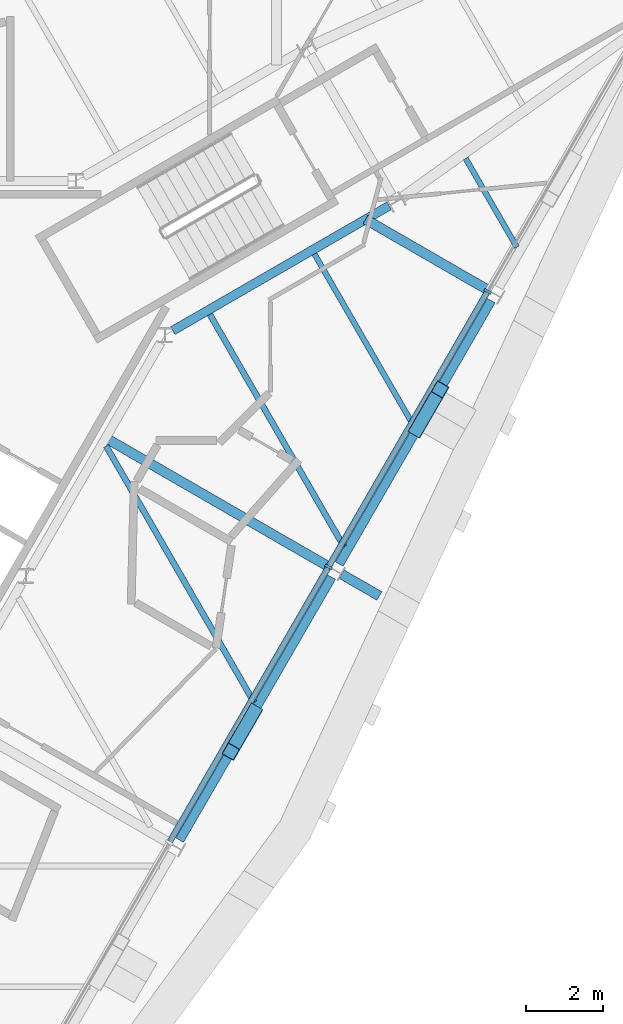
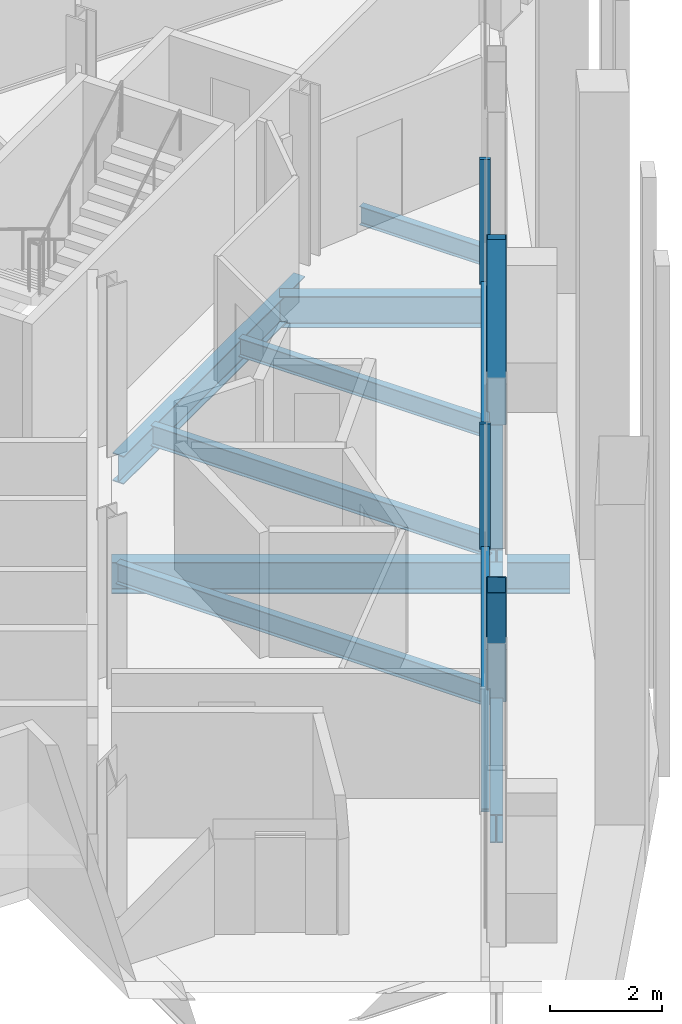
# One storey, part 4 of 13: 10 beams, 6 members, 1 element without a shape of its own.
"""IFC4 building model written with IfcOpenShell, lengths in metres."""

from ifc_helpers import new_model, si_unit, direction, frame, origin, origin_2d, place, context, subcontext, project, spatial, rectangle, hollow_rectangle, i_section, extrude, material, material_profile, profile_set, type_object, element, aggregate, save


model = new_model("IFC4")

# Units and contexts
model_context = context("Model", 3, precision=1e-05, world=origin(), true_north=direction((0.0, 1.0)))
body_context = subcontext(model_context, "Body", "Model", "MODEL_VIEW")
ifc_project = project(units=[si_unit("LENGTHUNIT", "METRE"), si_unit("AREAUNIT", "SQUARE_METRE"), si_unit("VOLUMEUNIT", "CUBIC_METRE"), si_unit("PLANEANGLEUNIT", "RADIAN"), si_unit("MASSUNIT", "GRAM", prefix="KILO")], contexts=[model_context])

# Site, building, storey
site_placement = place(None, origin())
site = spatial("IfcSite", under=ifc_project, at=site_placement, CompositionType="ELEMENT")
building_placement = place(site_placement, origin())
building = spatial("IfcBuilding", under=site, at=building_placement, Name="Verrane Prism Tower", CompositionType="ELEMENT")
storey_placement = place(building_placement, frame((0.0, 0.0, 275.10009765625)))
storey = spatial("IfcBuildingStorey", under=building, at=storey_placement, Name="L69", CompositionType="ELEMENT", Elevation=275.10009765625)

# Beam
ifc_material_1 = material(Name="Steel A992", Category="steel")
ifc_material_profile_1 = material_profile(ifc_material_1, i_section(OverallWidth=0.23046875, OverallDepth=0.6171875, WebThickness=0.01318359375, FlangeThickness=0.022216796875, FilletRadius=0.012939453125, at=origin_2d()), Name="W24x94")
ifc_profile_set_1 = profile_set([ifc_material_profile_1], Name="Steel A992")
beam_type_1 = type_object("IfcBeamType", Name="Core ring girder W24x94", PredefinedType="BEAM", material=ifc_profile_set_1)
beam_1_placement = place(storey_placement, frame((9.679443359375, 2.93505859375, -0.55859375), z_axis=(0.866080992722, 0.499903704773, 0.0), x_axis=(-0.499903704773, 0.866080992722, 0.0)))
element("IfcBeam", 1, at=beam_1_placement, inside=storey, type_object=beam_type_1, Name="Core ring girder L69", PredefinedType="BEAM", context=body_context, shape_type="SweptSolid", body=[
    extrude(i_section(OverallWidth=0.23046875, OverallDepth=0.6171875, WebThickness=0.01318359375, FlangeThickness=0.022216796875, FilletRadius=0.012939453125, at=origin_2d()), origin(), (0.0, 0.0, 1.0), 6.451904296875),
])

# Members
ifc_material_2 = material(Name="Steel A500 Grade C", Category="steel")
ifc_material_profile_2 = material_profile(ifc_material_2, hollow_rectangle(XDim=0.355712890625, YDim=0.355712890625, WallThickness=0.0126953125, InnerFilletRadius=0.00634765625, OuterFilletRadius=0.01904296875, at=origin_2d()), Name="HSS14x14x1/2")
ifc_profile_set_2 = profile_set([ifc_material_profile_2], Name="Steel A500 Grade C")
member_type_1 = type_object("IfcMemberType", Name="Facade brace HSS14x14x1/2", PredefinedType="BRACE", material=ifc_profile_set_2)
member_1_placement = place(storey_placement, frame((11.773193359375, -6.906005859375, -0.216796875), z_axis=(-0.173955846373, -0.301074671944, 0.937599810914), x_axis=(0.865863090637, -0.500281029295, 0.0)))
element("IfcMember", 2, at=member_1_placement, inside=storey, type_object=member_type_1, Name="Facade brace SE2 L69", PredefinedType="BRACE", context=body_context, shape_type="SweptSolid", body=[
    extrude(hollow_rectangle(XDim=0.355712890625, YDim=0.355712890625, WallThickness=0.0126953125, InnerFilletRadius=0.00634765625, OuterFilletRadius=0.01904296875, at=origin_2d()), origin(), (0.0, 0.0, 1.0), 3.408935546875),
])
member_2_placement = place(storey_placement, frame((15.98681640625, 0.39111328125, -0.216796875), z_axis=(0.173933329841, 0.301465343199, 0.937478449683), x_axis=(-0.866171884844, 0.499746201493, 0.0)))
element("IfcMember", 3, at=member_2_placement, inside=storey, type_object=member_type_1, Name="Facade brace SE3 L69", PredefinedType="BRACE", context=body_context, shape_type="SweptSolid", body=[
    extrude(hollow_rectangle(XDim=0.355712890625, YDim=0.355712890625, WallThickness=0.0126953125, InnerFilletRadius=0.00634765625, OuterFilletRadius=0.01904296875, at=origin_2d()), origin(), (0.0, 0.0, 1.0), 3.409423828125),
])

# Beams
ifc_material_3 = material(Name="Steel A992", Category="steel")
ifc_material_profile_3 = material_profile(ifc_material_3, i_section(OverallWidth=0.140380859375, OverallDepth=0.40380859375, WebThickness=0.007080078125, FlangeThickness=0.01123046875, FilletRadius=0.01025390625, at=origin_2d()), Name="W16x31")
ifc_profile_set_3 = profile_set([ifc_material_profile_3], Name="Steel A992")
beam_type_2 = type_object("IfcBeamType", Name="Floor beam W16x31", PredefinedType="BEAM", material=ifc_profile_set_3)
beam_2_placement = place(storey_placement, frame((15.902099609375, 0.474609375, -0.362060546875), z_axis=(-0.500011000363, 0.866019052629, 0.0), x_axis=(-0.866019052629, -0.500011000363, 0.0)))
element("IfcBeam", 4, at=beam_2_placement, inside=storey, type_object=beam_type_2, Name="Floor beam L69", PredefinedType="BEAM", context=body_context, shape_type="SweptSolid", body=[
    extrude(i_section(OverallWidth=0.140380859375, OverallDepth=0.40380859375, WebThickness=0.007080078125, FlangeThickness=0.01123046875, FilletRadius=0.01025390625, at=origin_2d()), origin(), (0.0, 0.0, 1.0), 5.126953125),
])
beam_3_placement = place(storey_placement, frame((18.565185546875, 5.089599609375, -0.362060546875), z_axis=(-0.49994082229, 0.866059567356, 0.0), x_axis=(-0.866059567356, -0.49994082229, 0.0)))
element("IfcBeam", 5, at=beam_3_placement, inside=storey, type_object=beam_type_2, Name="Floor beam L69", PredefinedType="BEAM", context=body_context, shape_type="SweptSolid", body=[
    extrude(i_section(OverallWidth=0.140380859375, OverallDepth=0.40380859375, WebThickness=0.007080078125, FlangeThickness=0.01123046875, FilletRadius=0.01025390625, at=origin_2d()), origin(), (0.0, 0.0, 1.0), 2.645263671875),
])
ifc_material_4 = material(Name="Steel A992", Category="steel")
ifc_material_profile_4 = material_profile(ifc_material_4, i_section(OverallWidth=0.15234375, OverallDepth=0.449462890625, WebThickness=0.007568359375, FlangeThickness=0.0107421875, FilletRadius=0.01025390625, at=origin_2d()), Name="W18x35")
ifc_profile_set_4 = profile_set([ifc_material_profile_4], Name="Steel A992")
beam_type_3 = type_object("IfcBeamType", Name="Floor beam W18x35", PredefinedType="BEAM", material=ifc_profile_set_4)
beam_4_placement = place(storey_placement, frame((11.78076171875, -6.6630859375, -0.385009765625), z_axis=(-0.499997113229, 0.866027070456, 0.0), x_axis=(-0.866027070456, -0.499997113229, 0.0)))
element("IfcBeam", 6, at=beam_4_placement, inside=storey, type_object=beam_type_3, Name="Floor beam L69", PredefinedType="BEAM", context=body_context, shape_type="SweptSolid", body=[
    extrude(i_section(OverallWidth=0.15234375, OverallDepth=0.449462890625, WebThickness=0.007568359375, FlangeThickness=0.0107421875, FilletRadius=0.01025390625, at=origin_2d()), origin(), (0.0, 0.0, 1.0), 7.64306640625),
])
beam_5_placement = place(storey_placement, frame((14.1015625, -2.64599609375, -0.385009765625), z_axis=(-0.49999287541, 0.866029517129, 0.0), x_axis=(-0.866029517129, -0.49999287541, 0.0)))
element("IfcBeam", 7, at=beam_5_placement, inside=storey, type_object=beam_type_3, Name="Floor beam L69", PredefinedType="BEAM", context=body_context, shape_type="SweptSolid", body=[
    extrude(i_section(OverallWidth=0.15234375, OverallDepth=0.449462890625, WebThickness=0.007568359375, FlangeThickness=0.0107421875, FilletRadius=0.01025390625, at=origin_2d()), origin(), (0.0, 0.0, 1.0), 6.92919921875),
])

# Curtain wall, members
ifc_material_5 = material(Name="Aluminium framed insulated glazing", Category="aluminium")
curtain_wall_type = type_object("IfcCurtainWallType", Name="Curtain wall CW-A 8400 module", PredefinedType="NOTDEFINED", material=ifc_material_5)
curtain_wall_placement = place(storey_placement, origin())
curtain_wall = element("IfcCurtainWall", 8, at=curtain_wall_placement, inside=storey, type_object=curtain_wall_type, Name="Glazed curtain wall south-east face L69", PredefinedType="NOTDEFINED")
ifc_material_6 = material(Name="Aluminium alloy 6063-T6", Category="aluminium")
ifc_material_profile_5 = material_profile(ifc_material_6, rectangle(XDim=0.199951171875, YDim=0.070068359375, at=origin_2d()), Name="Mullion 70x200 aluminium")
ifc_profile_set_5 = profile_set([ifc_material_profile_5], Name="Aluminium alloy 6063-T6")
member_type_2 = type_object("IfcMemberType", Name="Mullion 70x200 aluminium", PredefinedType="MULLION", material=ifc_profile_set_5)
member_3_placement = place(storey_placement, frame((13.7001953125, -3.1650390625, 0.0), z_axis=(0.0, 0.0, 1.0), x_axis=(-0.866024861728, 0.500000938868, 0.0)))
member_3 = element("IfcMember", 9, at=member_3_placement, type_object=member_type_2, Name="CW69.6 mullion 4", PredefinedType="MULLION", context=body_context, shape_type="SweptSolid", body=[
    extrude(rectangle(XDim=0.199951171875, YDim=0.070068359375, at=origin_2d()), origin(), (0.0, 0.0, 1.0), 2.722900390625),
])
member_4_placement = place(storey_placement, frame((17.8095703125, 3.952392578125, 0.0), z_axis=(0.0, 0.0, 1.0), x_axis=(-0.866024861728, 0.500000938868, 0.0)))
member_4 = element("IfcMember", 10, at=member_4_placement, type_object=member_type_2, Name="CW69.6 mullion 5", PredefinedType="MULLION", context=body_context, shape_type="SweptSolid", body=[
    extrude(rectangle(XDim=0.199951171875, YDim=0.070068359375, at=origin_2d()), origin(), (0.0, 0.0, 1.0), 2.722900390625),
])

# Beams
ifc_material_7 = material(Name="Steel A992", Category="steel")
ifc_material_profile_6 = material_profile(ifc_material_7, i_section(OverallWidth=0.25390625, OverallDepth=0.683349609375, WebThickness=0.012451171875, FlangeThickness=0.01904296875, FilletRadius=0.01513671875, at=origin_2d()), Name="W27x94")
ifc_profile_set_6 = profile_set([ifc_material_profile_6], Name="Steel A992")
beam_type_4 = type_object("IfcBeamType", Name="Radial girder W27x94", PredefinedType="BEAM", material=ifc_profile_set_6)
beam_6_placement = place(storey_placement, frame((13.71728515625, -3.166015625, -0.561767578125), z_axis=(-0.866033637652, 0.499985738252, 0.0), x_axis=(-0.499985738252, -0.866033637652, 0.0)))
element("IfcBeam", 11, at=beam_6_placement, inside=storey, type_object=beam_type_4, Name="Radial girder L69", PredefinedType="BEAM", context=body_context, shape_type="SweptSolid", body=[
    extrude(i_section(OverallWidth=0.25390625, OverallDepth=0.683349609375, WebThickness=0.012451171875, FlangeThickness=0.01904296875, FilletRadius=0.01513671875, at=origin_2d()), origin(), (0.0, 0.0, 1.0), 6.662353515625),
])
beam_7_placement = place(storey_placement, frame((17.837158203125, 3.97412109375, -0.561767578125), z_axis=(-0.866040472627, 0.499973899091, 0.0), x_axis=(-0.499973899091, -0.866040472627, 0.0)))
element("IfcBeam", 12, at=beam_7_placement, inside=storey, type_object=beam_type_4, Name="Radial girder L69", PredefinedType="BEAM", context=body_context, shape_type="SweptSolid", body=[
    extrude(i_section(OverallWidth=0.25390625, OverallDepth=0.683349609375, WebThickness=0.012451171875, FlangeThickness=0.01904296875, FilletRadius=0.01513671875, at=origin_2d()), origin(), (0.0, 0.0, 1.0), 3.670166015625),
])
beam_8_placement = place(storey_placement, frame((14.039306640625, -3.35205078125, -0.561767578125), z_axis=(0.86603400694, -0.499985098601, 0.0), x_axis=(0.499985098601, 0.86603400694, 0.0)))
element("IfcBeam", 13, at=beam_8_placement, inside=storey, type_object=beam_type_4, Name="Cantilever girder L69", PredefinedType="BEAM", context=body_context, shape_type="SweptSolid", body=[
    extrude(i_section(OverallWidth=0.25390625, OverallDepth=0.683349609375, WebThickness=0.012451171875, FlangeThickness=0.01904296875, FilletRadius=0.01513671875, at=origin_2d()), origin(), (0.0, 0.0, 1.0), 1.12646484375),
])
ifc_material_8 = material(Name="Steel A992", Category="steel")
ifc_material_profile_7 = material_profile(ifc_material_8, i_section(OverallWidth=0.23046875, OverallDepth=0.6171875, WebThickness=0.01318359375, FlangeThickness=0.022216796875, FilletRadius=0.012939453125, at=origin_2d()), Name="W24x94")
ifc_profile_set_7 = profile_set([ifc_material_profile_7], Name="Steel A992")
beam_type_5 = type_object("IfcBeamType", Name="Spandrel beam W24x94", PredefinedType="SPANDREL", material=ifc_profile_set_7)
beam_9_placement = place(storey_placement, frame((9.8583984375, -10.219482421875, -0.46875), z_axis=(0.500327915282, 0.865835999015, 0.0), x_axis=(-0.865835999015, 0.500327915282, 0.0)))
element("IfcBeam", 14, at=beam_9_placement, inside=storey, type_object=beam_type_5, Name="Spandrel beam L69", PredefinedType="SPANDREL", context=body_context, shape_type="SweptSolid", body=[
    extrude(i_section(OverallWidth=0.23046875, OverallDepth=0.6171875, WebThickness=0.01318359375, FlangeThickness=0.022216796875, FilletRadius=0.012939453125, at=origin_2d()), origin(), (0.0, 0.0, 1.0), 7.841064453125),
])
beam_10_placement = place(storey_placement, frame((13.978515625, -3.089599609375, -0.46875), z_axis=(0.499775405071, 0.866155034902, 0.0), x_axis=(-0.866155034902, 0.499775405071, 0.0)))
element("IfcBeam", 15, at=beam_10_placement, inside=storey, type_object=beam_type_5, Name="Spandrel beam L69", PredefinedType="SPANDREL", context=body_context, shape_type="SweptSolid", body=[
    extrude(i_section(OverallWidth=0.23046875, OverallDepth=0.6171875, WebThickness=0.01318359375, FlangeThickness=0.022216796875, FilletRadius=0.012939453125, at=origin_2d()), origin(), (0.0, 0.0, 1.0), 7.849609375),
])

# Member
ifc_material_9 = material(Name="Aluminium alloy 6063-T6", Category="aluminium")
ifc_material_profile_8 = material_profile(ifc_material_9, rectangle(XDim=0.14990234375, YDim=0.070068359375, at=origin_2d()), Name="Transom 70x150 aluminium")
ifc_profile_set_8 = profile_set([ifc_material_profile_8], Name="Aluminium alloy 6063-T6")
member_type_3 = type_object("IfcMemberType", Name="Transom 70x150 aluminium", PredefinedType="USERDEFINED", material=ifc_profile_set_8)
member_5_placement = place(storey_placement, frame((9.608642578125, -10.251953125, 0.034912109375), z_axis=(0.500006018292, 0.866021929094, 0.0), x_axis=(-0.866021929094, 0.500006018292, 0.0)))
member_5 = element("IfcMember", 16, at=member_5_placement, type_object=member_type_3, Name="CW69.6 transom 3", ObjectType="TRANSOM", PredefinedType="USERDEFINED", context=body_context, shape_type="SweptSolid", body=[
    extrude(rectangle(XDim=0.14990234375, YDim=0.070068359375, at=origin_2d()), origin(), (0.0, 0.0, 1.0), 8.1484375),
])

member_6_placement = place(storey_placement, frame((13.7177734375, -3.134521484375, 0.034912109375), z_axis=(0.500006018292, 0.866021929094, 0.0), x_axis=(-0.866021929094, 0.500006018292, 0.0)))
member_6 = element("IfcMember", 17, at=member_6_placement, type_object=member_type_3, Name="CW69.6 transom 4", ObjectType="TRANSOM", PredefinedType="USERDEFINED", context=body_context, shape_type="SweptSolid", body=[
    extrude(rectangle(XDim=0.14990234375, YDim=0.070068359375, at=origin_2d()), origin(), (0.0, 0.0, 1.0), 8.1484375),
])

aggregate(curtain_wall, [member_3, member_4, member_5, member_6])

save(model, "model.ifc")
